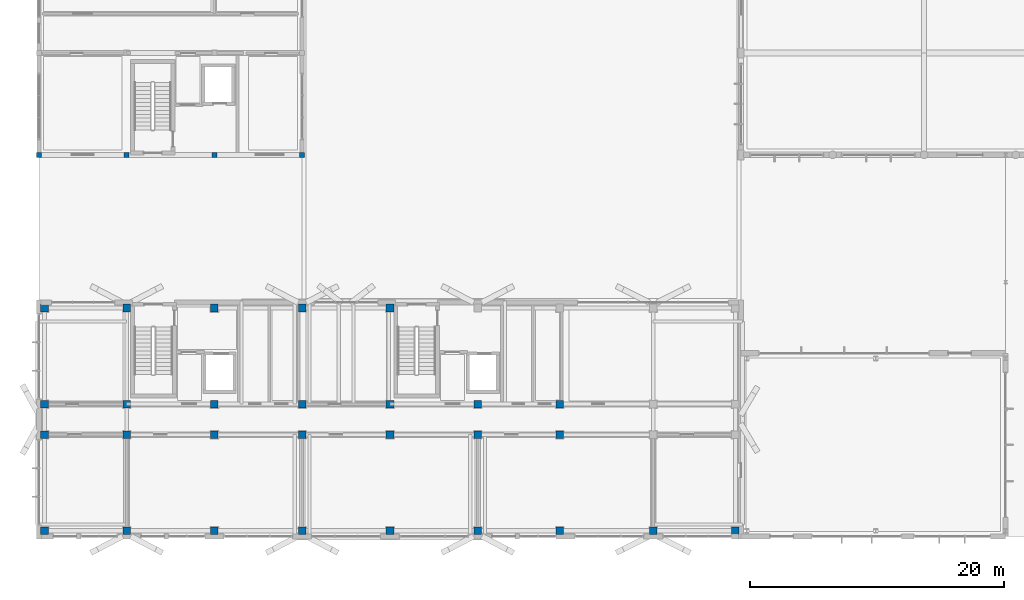
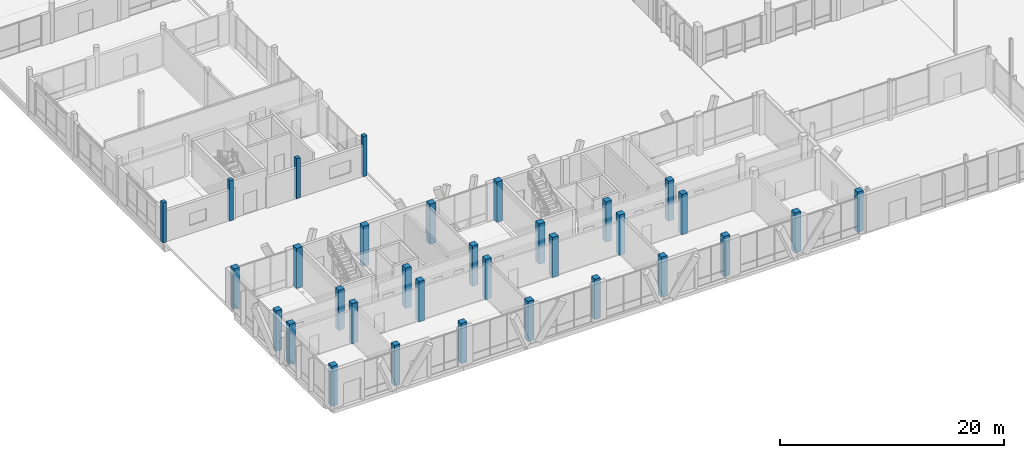
# One storey, part 1 of 233: 32 columns.
"""IFC4 building model written with IfcOpenShell, lengths in metres."""

import ifcopenshell
import ifcopenshell.guid

model = None  # the IFC model being written
_history = None  # IfcOwnerHistory: only IFC2X3 demands one
_inside = {}  # id of a spatial element -> (the spatial element, [elements in it])
_under = {}  # id of a project, library or spatial element -> (it, [spatial elements below it])
_declared = {}  # id of a project -> (the project, [libraries it declares])
_typed = {}  # id of a type object -> (the type object, [elements of that type])
_made_of = {}  # id of a material, layer set ... -> (it, [elements and type objects made of it])


def new_model(schema):
    """Start an empty IFC model of exactly this schema.

    Asked for "IFC4X3", IfcOpenShell would pick the latest addendum, in which some entities
    have other attributes; the version numbers below select the first issue.
    IFC2X3 requires an IfcOwnerHistory on every rooted entity: one is made here for all.
    """
    global model, _history
    if schema == "IFC4X3":
        model = ifcopenshell.file(schema_version=(4, 3, 0, 0))
    else:
        model = ifcopenshell.file(schema=schema)
    _inside.clear()
    _under.clear()
    _declared.clear()
    _typed.clear()
    _made_of.clear()
    _history = None
    if model.schema == "IFC2X3":
        org = make("IfcOrganization", Name="unknown")
        user = make(
            "IfcPersonAndOrganization",
            ThePerson=make("IfcPerson", FamilyName="unknown"),
            TheOrganization=org,
        )
        app = make(
            "IfcApplication",
            ApplicationDeveloper=org,
            Version="unknown",
            ApplicationFullName="unknown",
            ApplicationIdentifier="unknown",
        )
        _history = make(
            "IfcOwnerHistory",
            OwningUser=user,
            OwningApplication=app,
            ChangeAction="ADDED",
            CreationDate=0,
        )
    return model


def make(cls, **values):
    """One entity of the class cls with the attributes given. An attribute that is None is left unset."""
    return model.create_entity(
        cls, **{name: value for name, value in values.items() if value is not None}
    )


def rooted(cls, **values):
    """An entity with a GlobalId (a new one), such as an element, a storey or a relation."""
    return make(cls, GlobalId=ifcopenshell.guid.new(), OwnerHistory=_history, **values)


def si_unit(unit_type, name, prefix=None):
    """IfcSIUnit, for example si_unit("LENGTHUNIT", "METRE", prefix="MILLI")."""
    return make("IfcSIUnit", UnitType=unit_type, Prefix=prefix, Name=name)


def assignment(units):
    """IfcUnitAssignment: the units of a project."""
    return None if units is None else make("IfcUnitAssignment", Units=units)


def point(xyz):
    """IfcCartesianPoint."""
    return None if xyz is None else make("IfcCartesianPoint", Coordinates=xyz)


def direction(xyz):
    """IfcDirection."""
    return None if xyz is None else make("IfcDirection", DirectionRatios=xyz)


def frame(location, z_axis=None, x_axis=None):
    """IfcAxis2Placement3D, a coordinate frame: its origin and axes. An axis left out is left unset."""
    return make(
        "IfcAxis2Placement3D",
        Location=point(location),
        Axis=direction(z_axis),
        RefDirection=direction(x_axis),
    )


def frame_2d(location, x_axis=None):
    """IfcAxis2Placement2D, a coordinate frame in the plane: its origin and x axis."""
    return make(
        "IfcAxis2Placement2D", Location=point(location), RefDirection=direction(x_axis)
    )


def origin():
    """The frame at (0, 0, 0) with its axes left unset."""
    return frame((0.0, 0.0, 0.0))


def origin_2d():
    """The frame at (0, 0) in the plane with its x axis left unset."""
    return frame_2d((0.0, 0.0))


def place(relative_to, where):
    """IfcLocalPlacement: puts the frame where relative to a parent placement (None: the world)."""
    return make(
        "IfcLocalPlacement", PlacementRelTo=relative_to, RelativePlacement=where
    )


def context(
    kind, dimensions, precision=None, world=None, true_north=None, identifier=None
):
    """IfcGeometricRepresentationContext, for example the 3D "Model" context."""
    return make(
        "IfcGeometricRepresentationContext",
        ContextIdentifier=identifier,
        ContextType=kind,
        CoordinateSpaceDimension=dimensions,
        Precision=precision,
        WorldCoordinateSystem=world,
        TrueNorth=true_north,
    )


def subcontext(parent, identifier, kind, view, scale=None):
    """IfcGeometricRepresentationSubContext, for example "Body" below "Model"."""
    return make(
        "IfcGeometricRepresentationSubContext",
        ContextIdentifier=identifier,
        ContextType=kind,
        ParentContext=parent,
        TargetScale=scale,
        TargetView=view,
    )


def project(units=None, contexts=None):
    """IfcProject with its units and contexts."""
    return rooted(
        "IfcProject",
        Name="project",
        RepresentationContexts=contexts,
        UnitsInContext=assignment(units),
    )


def spatial(cls, under=None, at=None, **own):
    """A site, building, storey or space (cls), placed at a placement, below another one or the project."""
    s = rooted(cls, ObjectPlacement=at, **own)
    if under is not None:
        _under.setdefault(under.id(), (under, []))[1].append(s)
    return s


def profile(cls, at=None, kind="AREA", **sizes):
    """A parametric profile (cls). Its sizes go by their IFC names, for example OverallWidth=200.0."""
    return make(cls, ProfileType=kind, Position=at, **sizes)


def rectangle(**sizes):
    """IfcRectangleProfileDef."""
    return profile("IfcRectangleProfileDef", **sizes)


def extrude(swept, where, along, depth):
    """IfcExtrudedAreaSolid: the profile swept, set in the frame where, extruded along a direction by depth."""
    return make(
        "IfcExtrudedAreaSolid",
        SweptArea=swept,
        Position=where,
        ExtrudedDirection=direction(along),
        Depth=depth,
    )


def shape(context_of_items, identifier, shape_type, items):
    """IfcShapeRepresentation: the items that make up one representation, for example the "Body"."""
    return make(
        "IfcShapeRepresentation",
        ContextOfItems=context_of_items,
        RepresentationIdentifier=identifier,
        RepresentationType=shape_type,
        Items=items,
    )


def material(Name=None, Category=None):
    """IfcMaterial."""
    return make("IfcMaterial", Name=Name, Category=Category)


def material_profile(
    of_material, cross_section, Name=None, Category=None, Priority=None
):
    """IfcMaterialProfile: a cross section and its material."""
    return make(
        "IfcMaterialProfile",
        Name=Name,
        Material=of_material,
        Profile=cross_section,
        Priority=Priority,
        Category=Category,
    )


def profile_set(profiles, Name=None, composite=None):
    """IfcMaterialProfileSet."""
    return make(
        "IfcMaterialProfileSet",
        Name=Name,
        MaterialProfiles=profiles,
        CompositeProfile=composite,
    )


def made_of(thing, what):
    """Note that an element or type object is made of a material, layer set ...; save() writes the relation."""
    if what is not None:
        _made_of.setdefault(what.id(), (what, []))[1].append(thing)
    return thing


def type_object(cls, material=None, **own):
    """A type object (cls), such as IfcWallType, which elements share."""
    return made_of(rooted(cls, **own), material)


def element(
    cls,
    number,
    at=None,
    inside=None,
    cuts=None,
    type_object=None,
    material=None,
    context=None,
    identifier="Body",
    shape_type=None,
    held_by="IfcProductDefinitionShape",
    body=None,
    shapes=None,
    **own,
):
    """One element of the class cls, such as IfcWall. Its Tag is "e" and its number.

    at: its placement. inside: the storey or other place that contains it. cuts: it is an
    opening in that element (IfcRelVoidsElement). A single representation is given by context,
    identifier, shape_type and body (its items); several are given by shapes. held_by: the class
    of the entity that holds the representations. save() writes the other relations.
    """
    e = rooted(cls, Tag="e%d" % number, ObjectPlacement=at, **own)
    if body is not None:
        shapes = [shape(context, identifier, shape_type, body)]
    if shapes is not None:
        e.Representation = make(held_by, Representations=shapes)
    if inside is not None:
        _inside.setdefault(inside.id(), (inside, []))[1].append(e)
    if cuts is not None:
        rooted(
            "IfcRelVoidsElement", RelatingBuildingElement=cuts, RelatedOpeningElement=e
        )
    if type_object is not None:
        _typed.setdefault(type_object.id(), (type_object, []))[1].append(e)
    return made_of(e, material)


def aggregate(whole, parts):
    """IfcRelAggregates: a whole, such as a stair, and the parts it consists of."""
    return rooted("IfcRelAggregates", RelatingObject=whole, RelatedObjects=parts)


def save(model, path):
    """Write the relations noted so far, then the file.

    IfcRelAggregates (storeys below a building ...), IfcRelContainedInSpatialStructure (elements
    in a storey), IfcRelDefinesByType, IfcRelAssociatesMaterial and IfcRelDeclares: one each for
    every whole, place, type object, material and project.
    """
    for whole, parts in _under.values():
        aggregate(whole, parts)
    for where, things in _inside.values():
        rooted(
            "IfcRelContainedInSpatialStructure",
            RelatedElements=things,
            RelatingStructure=where,
        )
    for kind, things in _typed.values():
        rooted("IfcRelDefinesByType", RelatedObjects=things, RelatingType=kind)
    for what, things in _made_of.values():
        rooted("IfcRelAssociatesMaterial", RelatedObjects=things, RelatingMaterial=what)
    for by, libraries in _declared.values():
        rooted("IfcRelDeclares", RelatingContext=by, RelatedDefinitions=libraries)
    model.write(path)


model = new_model("IFC4")

# Units and contexts
model_context = context("Model", 3, precision=1e-05, world=origin(), true_north=direction((0.0, 1.0)))
body_context = subcontext(model_context, "Body", "Model", "MODEL_VIEW")
ifc_project = project(units=[si_unit("LENGTHUNIT", "METRE"), si_unit("AREAUNIT", "SQUARE_METRE"), si_unit("VOLUMEUNIT", "CUBIC_METRE"), si_unit("PLANEANGLEUNIT", "RADIAN"), si_unit("MASSUNIT", "GRAM", prefix="KILO")], contexts=[model_context])

# Site, building, storey
site_placement = place(None, origin())
site = spatial("IfcSite", under=ifc_project, at=site_placement, CompositionType="ELEMENT")
building_placement = place(site_placement, origin())
building = spatial("IfcBuilding", under=site, at=building_placement, Name="Zavelmont Quarter", CompositionType="ELEMENT")
storey_placement = place(building_placement, origin())
storey = spatial("IfcBuildingStorey", under=building, at=storey_placement, Name="L00", CompositionType="ELEMENT", Elevation=0.0)

# Columns
ifc_material_1 = material(Name="Concrete C40/50", Category="concrete")
ifc_material_profile_1 = material_profile(ifc_material_1, rectangle(XDim=0.60009765625, YDim=0.60009765625, at=origin_2d()), Name="RC600X600")
ifc_profile_set_1 = profile_set([ifc_material_profile_1], Name="Concrete C40/50")
column_type_1 = type_object("IfcColumnType", Name="CL01", PredefinedType="COLUMN", material=ifc_profile_set_1)
for number, where, z_axis, x_axis, name in (
    (1, (0.43994140625, 0.43994140625, 0.0), (0.0, 0.0, 1.0), (1.0, 0.0, 0.0), "L00 column CL01 at 1/A"),
    (2, (0.43994140625, 8.0, 0.0), (0.0, 0.0, 1.0), (1.0, 0.0, 0.0), "L00 column CL01 at 1/B"),
    (3, (0.43994140625, 10.39990234375, 0.0), (0.0, 0.0, 1.0), (1.0, 0.0, 0.0), "L00 column CL01 at 1/C"),
    (4, (0.43994140625, 17.9599609375, 0.0), (0.0, 0.0, 1.0), (1.0, 0.0, 0.0), "L00 column CL01 at 1/D"),
    (5, (6.89990234375, 0.43994140625, 0.0), (0.0, 0.0, 1.0), (1.0, 0.0, 0.0), "L00 column CL01 at 2/A"),
    (6, (6.89990234375, 8.0, 0.0), (0.0, 0.0, 1.0), (1.0, 0.0, 0.0), "L00 column CL01 at 2/B"),
    (7, (6.89990234375, 10.39990234375, 0.0), (0.0, 0.0, 1.0), (1.0, 0.0, 0.0), "L00 column CL01 at 2/C"),
    (8, (6.89990234375, 17.9599609375, 0.0), (0.0, 0.0, 1.0), (1.0, 0.0, 0.0), "L00 column CL01 at 2/D"),
    (9, (13.800048828125, 0.43994140625, 0.0), (0.0, 0.0, 1.0), (1.0, 0.0, 0.0), "L00 column CL01 at 3/A"),
    (10, (13.800048828125, 8.0, 0.0), (0.0, 0.0, 1.0), (1.0, 0.0, 0.0), "L00 column CL01 at 3/B"),
    (11, (13.800048828125, 10.39990234375, 0.0), (0.0, 0.0, 1.0), (1.0, 0.0, 0.0), "L00 column CL01 at 3/C"),
    (12, (13.800048828125, 17.9599609375, 0.0), (0.0, 0.0, 1.0), (1.0, 0.0, 0.0), "L00 column CL01 at 3/D"),
    (13, (20.699951171875, 0.43994140625, 0.0), (0.0, 0.0, 1.0), (1.0, 0.0, 0.0), "L00 column CL01 at 4/A"),
    (14, (20.699951171875, 8.0, 0.0), (0.0, 0.0, 1.0), (1.0, 0.0, 0.0), "L00 column CL01 at 4/B"),
    (15, (20.699951171875, 10.39990234375, 0.0), (0.0, 0.0, 1.0), (1.0, 0.0, 0.0), "L00 column CL01 at 4/C"),
    (16, (20.699951171875, 17.9599609375, 0.0), (0.0, 0.0, 1.0), (1.0, 0.0, 0.0), "L00 column CL01 at 4/D"),
    (17, (27.60009765625, 0.43994140625, 0.0), (0.0, 0.0, 1.0), (1.0, 0.0, 0.0), "L00 column CL01 at 5/A"),
    (18, (27.60009765625, 8.0, 0.0), (0.0, 0.0, 1.0), (1.0, 0.0, 0.0), "L00 column CL01 at 5/B"),
    (19, (27.60009765625, 10.39990234375, 0.0), (0.0, 0.0, 1.0), (1.0, 0.0, 0.0), "L00 column CL01 at 5/C"),
    (20, (27.60009765625, 17.9599609375, 0.0), (0.0, 0.0, 1.0), (1.0, 0.0, 0.0), "L00 column CL01 at 5/D"),
    (21, (34.5, 0.43994140625, 0.0), (0.0, 0.0, 1.0), (1.0, 0.0, 0.0), "L00 column CL01 at 6/A"),
    (22, (34.5, 8.0, 0.0), (0.0, 0.0, 1.0), (1.0, 0.0, 0.0), "L00 column CL01 at 6/B"),
    (23, (34.5, 10.39990234375, 0.0), (0.0, 0.0, 1.0), (1.0, 0.0, 0.0), "L00 column CL01 at 6/C"),
    (24, (40.9599609375, 0.43994140625, 0.0), (0.0, 0.0, 1.0), (1.0, 0.0, 0.0), "L00 column CL01 at 7/A"),
    (25, (40.9599609375, 8.0, 0.0), (0.0, 0.0, 1.0), (1.0, 0.0, 0.0), "L00 column CL01 at 7/B"),
    (26, (40.9599609375, 10.39990234375, 0.0), (0.0, 0.0, 1.0), (1.0, 0.0, 0.0), "L00 column CL01 at 7/C"),
    (27, (48.300048828125, 0.43994140625, 0.0), (0.0, 0.0, 1.0), (1.0, 0.0, 0.0), "L00 column CL01 at 8/A"),
    (28, (54.760009765625, 0.43994140625, 0.0), (0.0, 0.0, 1.0), (1.0, 0.0, 0.0), "L00 column CL01 at 9/A"),
):
    element("IfcColumn", number, at=place(storey_placement, frame(where, z_axis=z_axis, x_axis=x_axis)), inside=storey, type_object=column_type_1, Name=name, PredefinedType="COLUMN", context=body_context, shape_type="SweptSolid", body=[
        extrude(rectangle(XDim=0.60009765625, YDim=0.60009765625, at=origin_2d()), origin(), (0.0, 0.0, 1.0), 4.39990234375),
    ])
ifc_material_2 = material(Name="Concrete C35/45", Category="concrete")
ifc_material_profile_2 = material_profile(ifc_material_2, rectangle(XDim=0.39990234375, YDim=0.39990234375, at=origin_2d()), Name="RC400X400")
ifc_profile_set_2 = profile_set([ifc_material_profile_2], Name="Concrete C35/45")
column_type_2 = type_object("IfcColumnType", Name="CL05", PredefinedType="COLUMN", material=ifc_profile_set_2)
for number, where, z_axis, x_axis, name in (
    (29, (0.0, 30.0, 0.0), (0.0, 0.0, 1.0), (1.0, 0.0, 0.0), "L00 column CL05 at 1/F"),
    (30, (6.89990234375, 30.0, 0.0), (0.0, 0.0, 1.0), (1.0, 0.0, 0.0), "L00 column CL05 at 2/F"),
    (31, (13.800048828125, 30.0, 0.0), (0.0, 0.0, 1.0), (1.0, 0.0, 0.0), "L00 column CL05 at 3/F"),
    (32, (20.699951171875, 30.0, 0.0), (0.0, 0.0, 1.0), (1.0, 0.0, 0.0), "L00 column CL05 at 4/F"),
):
    element("IfcColumn", number, at=place(storey_placement, frame(where, z_axis=z_axis, x_axis=x_axis)), inside=storey, type_object=column_type_2, Name=name, PredefinedType="COLUMN", context=body_context, shape_type="SweptSolid", body=[
        extrude(rectangle(XDim=0.39990234375, YDim=0.39990234375, at=origin_2d()), origin(), (0.0, 0.0, 1.0), 4.39990234375),
    ])

save(model, "model.ifc")
